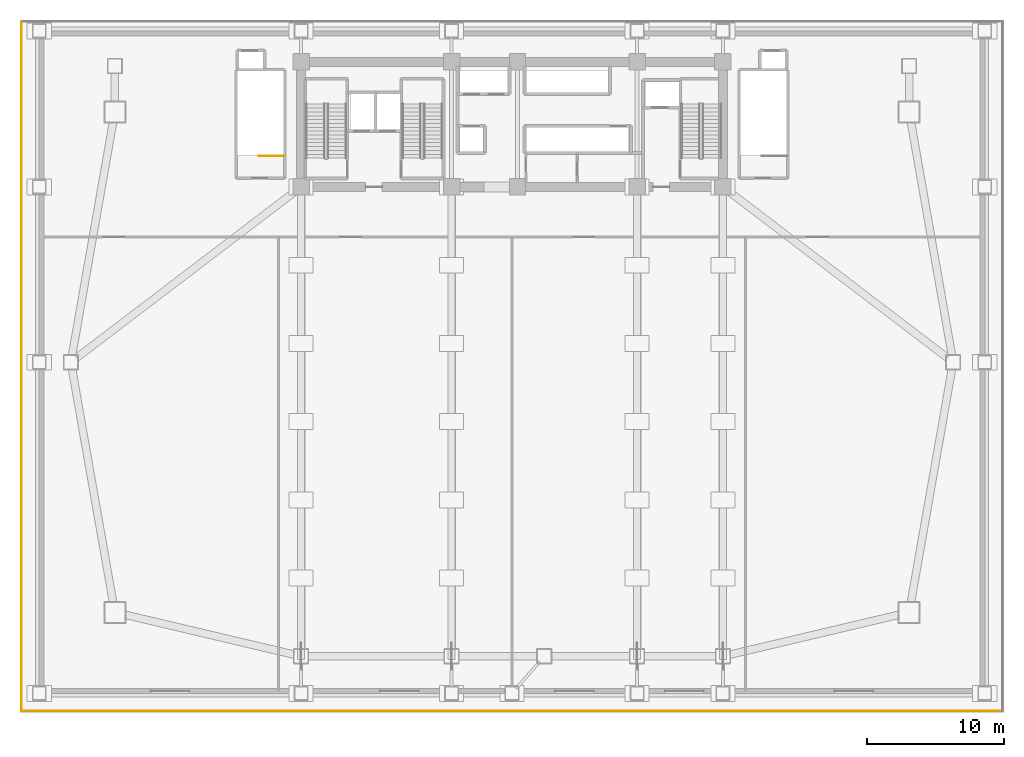
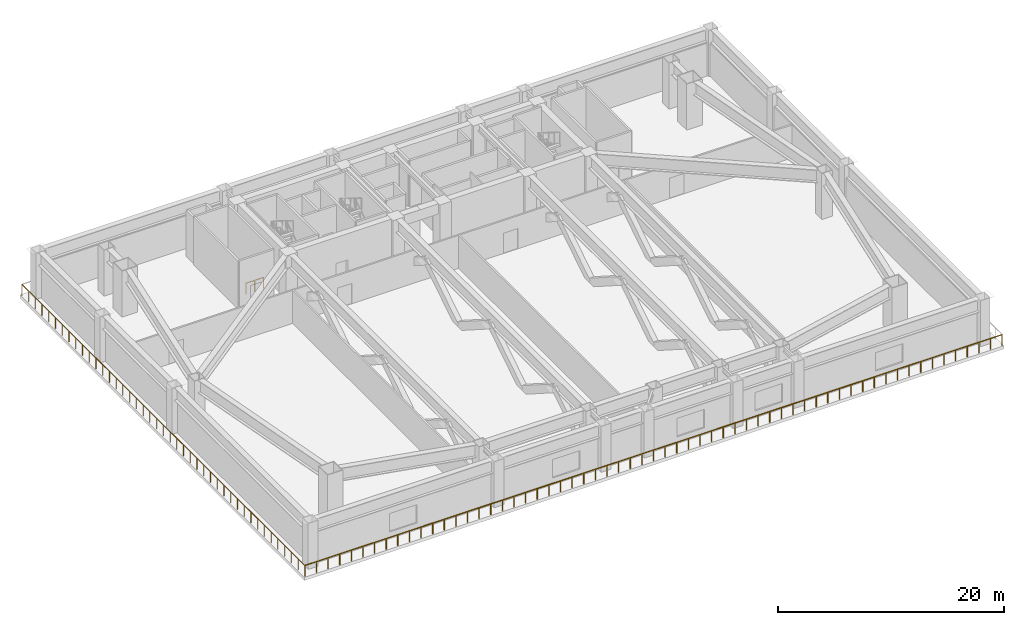
# One storey, part 6 of 8: 3 railings.
"""IFC4 building model written with IfcOpenShell, lengths in metres."""

from ifc_helpers import new_model, si_unit, direction, frame, origin, origin_2d, place, context, subcontext, project, spatial, rectangle, extrude, material, type_object, element, save


model = new_model("IFC4")

# Units and contexts
model_context = context("Model", 3, precision=1e-05, world=origin(), true_north=direction((0.0, 1.0)))
body_context = subcontext(model_context, "Body", "Model", "MODEL_VIEW")
ifc_project = project(units=[si_unit("LENGTHUNIT", "METRE"), si_unit("AREAUNIT", "SQUARE_METRE"), si_unit("VOLUMEUNIT", "CUBIC_METRE"), si_unit("PLANEANGLEUNIT", "RADIAN"), si_unit("MASSUNIT", "GRAM", prefix="KILO")], contexts=[model_context])

# Site, building, storey
site_placement = place(None, origin())
site = spatial("IfcSite", under=ifc_project, at=site_placement, CompositionType="ELEMENT")
building_placement = place(site_placement, origin())
building = spatial("IfcBuilding", under=site, at=building_placement, Name="Giltprow Tower", CompositionType="ELEMENT")
storey_placement = place(building_placement, frame((0.0, 0.0, 20.199951171875)))
storey = spatial("IfcBuildingStorey", under=building, at=storey_placement, Name="L05", CompositionType="ELEMENT", Elevation=20.199951171875)

# Railings
ifc_material = material(Name="Anodized bronze", Category="metal")
railing_type_1 = type_object("IfcRailingType", Name="RAIL-BALC-GUARD-1200", PredefinedType="BALUSTRADE", material=ifc_material)
railing_1_placement = place(storey_placement, frame((-0.47998046875, -0.679931640625, 0.0)))
element("IfcRailing", 1, at=railing_1_placement, inside=storey, type_object=railing_type_1, Name="L05 Podium Perimeter Cornice Balustrade Seg 1", PredefinedType="BALUSTRADE", context=body_context, shape_type="SweptSolid", body=[
    extrude(rectangle(XDim=0.048095703125, YDim=0.048095703125, at=origin_2d()), frame((0.0, 0.0, 1.17578125), z_axis=(1.0, 0.0, 0.0), x_axis=(0.0, 1.0, 0.0)), (0.0, 0.0, 1.0), 71.35986328125),
    extrude(rectangle(XDim=0.0419921875, YDim=0.0419921875, at=origin_2d()), origin(), (0.0, 0.0, 1.0), 1.15185546875),
    extrude(rectangle(XDim=0.0419921875, YDim=0.0419921875, at=origin_2d()), frame((1.189453125, 0.0, 0.0)), (0.0, 0.0, 1.0), 1.15185546875),
    extrude(rectangle(XDim=0.0419921875, YDim=0.0419921875, at=origin_2d()), frame((2.378662109375, 0.0, 0.0)), (0.0, 0.0, 1.0), 1.15185546875),
    extrude(rectangle(XDim=0.0419921875, YDim=0.0419921875, at=origin_2d()), frame((3.56787109375, 0.0, 0.0)), (0.0, 0.0, 1.0), 1.15185546875),
    extrude(rectangle(XDim=0.0419921875, YDim=0.0419921875, at=origin_2d()), frame((4.75732421875, 0.0, 0.0)), (0.0, 0.0, 1.0), 1.15185546875),
    extrude(rectangle(XDim=0.0419921875, YDim=0.0419921875, at=origin_2d()), frame((5.94677734375, 0.0, 0.0)), (0.0, 0.0, 1.0), 1.15185546875),
    extrude(rectangle(XDim=0.0419921875, YDim=0.0419921875, at=origin_2d()), frame((7.135986328125, 0.0, 0.0)), (0.0, 0.0, 1.0), 1.15185546875),
    extrude(rectangle(XDim=0.0419921875, YDim=0.0419921875, at=origin_2d()), frame((8.3251953125, 0.0, 0.0)), (0.0, 0.0, 1.0), 1.15185546875),
    extrude(rectangle(XDim=0.0419921875, YDim=0.0419921875, at=origin_2d()), frame((9.5146484375, 0.0, 0.0)), (0.0, 0.0, 1.0), 1.15185546875),
    extrude(rectangle(XDim=0.0419921875, YDim=0.0419921875, at=origin_2d()), frame((10.7041015625, 0.0, 0.0)), (0.0, 0.0, 1.0), 1.15185546875),
    extrude(rectangle(XDim=0.0419921875, YDim=0.0419921875, at=origin_2d()), frame((11.893310546875, 0.0, 0.0)), (0.0, 0.0, 1.0), 1.15185546875),
    extrude(rectangle(XDim=0.0419921875, YDim=0.0419921875, at=origin_2d()), frame((13.08251953125, 0.0, 0.0)), (0.0, 0.0, 1.0), 1.15185546875),
    extrude(rectangle(XDim=0.0419921875, YDim=0.0419921875, at=origin_2d()), frame((14.27197265625, 0.0, 0.0)), (0.0, 0.0, 1.0), 1.15185546875),
    extrude(rectangle(XDim=0.0419921875, YDim=0.0419921875, at=origin_2d()), frame((15.46142578125, 0.0, 0.0)), (0.0, 0.0, 1.0), 1.15185546875),
    extrude(rectangle(XDim=0.0419921875, YDim=0.0419921875, at=origin_2d()), frame((16.650634765625, 0.0, 0.0)), (0.0, 0.0, 1.0), 1.15185546875),
    extrude(rectangle(XDim=0.0419921875, YDim=0.0419921875, at=origin_2d()), frame((17.83984375, 0.0, 0.0)), (0.0, 0.0, 1.0), 1.15185546875),
    extrude(rectangle(XDim=0.0419921875, YDim=0.0419921875, at=origin_2d()), frame((19.029296875, 0.0, 0.0)), (0.0, 0.0, 1.0), 1.15185546875),
    extrude(rectangle(XDim=0.0419921875, YDim=0.0419921875, at=origin_2d()), frame((20.21875, 0.0, 0.0)), (0.0, 0.0, 1.0), 1.15185546875),
    extrude(rectangle(XDim=0.0419921875, YDim=0.0419921875, at=origin_2d()), frame((21.407958984375, 0.0, 0.0)), (0.0, 0.0, 1.0), 1.15185546875),
    extrude(rectangle(XDim=0.0419921875, YDim=0.0419921875, at=origin_2d()), frame((22.59716796875, 0.0, 0.0)), (0.0, 0.0, 1.0), 1.15185546875),
    extrude(rectangle(XDim=0.0419921875, YDim=0.0419921875, at=origin_2d()), frame((23.78662109375, 0.0, 0.0)), (0.0, 0.0, 1.0), 1.15185546875),
    extrude(rectangle(XDim=0.0419921875, YDim=0.0419921875, at=origin_2d()), frame((24.97607421875, 0.0, 0.0)), (0.0, 0.0, 1.0), 1.15185546875),
    extrude(rectangle(XDim=0.0419921875, YDim=0.0419921875, at=origin_2d()), frame((26.165283203125, 0.0, 0.0)), (0.0, 0.0, 1.0), 1.15185546875),
    extrude(rectangle(XDim=0.0419921875, YDim=0.0419921875, at=origin_2d()), frame((27.354736328125, 0.0, 0.0)), (0.0, 0.0, 1.0), 1.15185546875),
    extrude(rectangle(XDim=0.0419921875, YDim=0.0419921875, at=origin_2d()), frame((28.5439453125, 0.0, 0.0)), (0.0, 0.0, 1.0), 1.15185546875),
    extrude(rectangle(XDim=0.0419921875, YDim=0.0419921875, at=origin_2d()), frame((29.7333984375, 0.0, 0.0)), (0.0, 0.0, 1.0), 1.15185546875),
    extrude(rectangle(XDim=0.0419921875, YDim=0.0419921875, at=origin_2d()), frame((30.922607421875, 0.0, 0.0)), (0.0, 0.0, 1.0), 1.15185546875),
    extrude(rectangle(XDim=0.0419921875, YDim=0.0419921875, at=origin_2d()), frame((32.11181640625, 0.0, 0.0)), (0.0, 0.0, 1.0), 1.15185546875),
    extrude(rectangle(XDim=0.0419921875, YDim=0.0419921875, at=origin_2d()), frame((33.30126953125, 0.0, 0.0)), (0.0, 0.0, 1.0), 1.15185546875),
    extrude(rectangle(XDim=0.0419921875, YDim=0.0419921875, at=origin_2d()), frame((34.49072265625, 0.0, 0.0)), (0.0, 0.0, 1.0), 1.15185546875),
    extrude(rectangle(XDim=0.0419921875, YDim=0.0419921875, at=origin_2d()), frame((35.679931640625, 0.0, 0.0)), (0.0, 0.0, 1.0), 1.15185546875),
    extrude(rectangle(XDim=0.0419921875, YDim=0.0419921875, at=origin_2d()), frame((36.869384765625, 0.0, 0.0)), (0.0, 0.0, 1.0), 1.15185546875),
    extrude(rectangle(XDim=0.0419921875, YDim=0.0419921875, at=origin_2d()), frame((38.05859375, 0.0, 0.0)), (0.0, 0.0, 1.0), 1.15185546875),
    extrude(rectangle(XDim=0.0419921875, YDim=0.0419921875, at=origin_2d()), frame((39.248046875, 0.0, 0.0)), (0.0, 0.0, 1.0), 1.15185546875),
    extrude(rectangle(XDim=0.0419921875, YDim=0.0419921875, at=origin_2d()), frame((40.437255859375, 0.0, 0.0)), (0.0, 0.0, 1.0), 1.15185546875),
    extrude(rectangle(XDim=0.0419921875, YDim=0.0419921875, at=origin_2d()), frame((41.62646484375, 0.0, 0.0)), (0.0, 0.0, 1.0), 1.15185546875),
    extrude(rectangle(XDim=0.0419921875, YDim=0.0419921875, at=origin_2d()), frame((42.81591796875, 0.0, 0.0)), (0.0, 0.0, 1.0), 1.15185546875),
    extrude(rectangle(XDim=0.0419921875, YDim=0.0419921875, at=origin_2d()), frame((44.00537109375, 0.0, 0.0)), (0.0, 0.0, 1.0), 1.15185546875),
    extrude(rectangle(XDim=0.0419921875, YDim=0.0419921875, at=origin_2d()), frame((45.194580078125, 0.0, 0.0)), (0.0, 0.0, 1.0), 1.15185546875),
    extrude(rectangle(XDim=0.0419921875, YDim=0.0419921875, at=origin_2d()), frame((46.3837890625, 0.0, 0.0)), (0.0, 0.0, 1.0), 1.15185546875),
    extrude(rectangle(XDim=0.0419921875, YDim=0.0419921875, at=origin_2d()), frame((47.5732421875, 0.0, 0.0)), (0.0, 0.0, 1.0), 1.15185546875),
    extrude(rectangle(XDim=0.0419921875, YDim=0.0419921875, at=origin_2d()), frame((48.7626953125, 0.0, 0.0)), (0.0, 0.0, 1.0), 1.15185546875),
    extrude(rectangle(XDim=0.0419921875, YDim=0.0419921875, at=origin_2d()), frame((49.951904296875, 0.0, 0.0)), (0.0, 0.0, 1.0), 1.15185546875),
    extrude(rectangle(XDim=0.0419921875, YDim=0.0419921875, at=origin_2d()), frame((51.14111328125, 0.0, 0.0)), (0.0, 0.0, 1.0), 1.15185546875),
    extrude(rectangle(XDim=0.0419921875, YDim=0.0419921875, at=origin_2d()), frame((52.33056640625, 0.0, 0.0)), (0.0, 0.0, 1.0), 1.15185546875),
    extrude(rectangle(XDim=0.0419921875, YDim=0.0419921875, at=origin_2d()), frame((53.52001953125, 0.0, 0.0)), (0.0, 0.0, 1.0), 1.15185546875),
    extrude(rectangle(XDim=0.0419921875, YDim=0.0419921875, at=origin_2d()), frame((54.709228515625, 0.0, 0.0)), (0.0, 0.0, 1.0), 1.15185546875),
    extrude(rectangle(XDim=0.0419921875, YDim=0.0419921875, at=origin_2d()), frame((55.8984375, 0.0, 0.0)), (0.0, 0.0, 1.0), 1.15185546875),
    extrude(rectangle(XDim=0.0419921875, YDim=0.0419921875, at=origin_2d()), frame((57.087890625, 0.0, 0.0)), (0.0, 0.0, 1.0), 1.15185546875),
    extrude(rectangle(XDim=0.0419921875, YDim=0.0419921875, at=origin_2d()), frame((58.27734375, 0.0, 0.0)), (0.0, 0.0, 1.0), 1.15185546875),
    extrude(rectangle(XDim=0.0419921875, YDim=0.0419921875, at=origin_2d()), frame((59.466552734375, 0.0, 0.0)), (0.0, 0.0, 1.0), 1.15185546875),
    extrude(rectangle(XDim=0.0419921875, YDim=0.0419921875, at=origin_2d()), frame((60.65576171875, 0.0, 0.0)), (0.0, 0.0, 1.0), 1.15185546875),
    extrude(rectangle(XDim=0.0419921875, YDim=0.0419921875, at=origin_2d()), frame((61.84521484375, 0.0, 0.0)), (0.0, 0.0, 1.0), 1.15185546875),
    extrude(rectangle(XDim=0.0419921875, YDim=0.0419921875, at=origin_2d()), frame((63.03466796875, 0.0, 0.0)), (0.0, 0.0, 1.0), 1.15185546875),
    extrude(rectangle(XDim=0.0419921875, YDim=0.0419921875, at=origin_2d()), frame((64.223876953125, 0.0, 0.0)), (0.0, 0.0, 1.0), 1.15185546875),
    extrude(rectangle(XDim=0.0419921875, YDim=0.0419921875, at=origin_2d()), frame((65.4130859375, 0.0, 0.0)), (0.0, 0.0, 1.0), 1.15185546875),
    extrude(rectangle(XDim=0.0419921875, YDim=0.0419921875, at=origin_2d()), frame((66.6025390625, 0.0, 0.0)), (0.0, 0.0, 1.0), 1.15185546875),
    extrude(rectangle(XDim=0.0419921875, YDim=0.0419921875, at=origin_2d()), frame((67.7919921875, 0.0, 0.0)), (0.0, 0.0, 1.0), 1.15185546875),
    extrude(rectangle(XDim=0.0419921875, YDim=0.0419921875, at=origin_2d()), frame((68.981201171875, 0.0, 0.0)), (0.0, 0.0, 1.0), 1.15185546875),
    extrude(rectangle(XDim=0.0419921875, YDim=0.0419921875, at=origin_2d()), frame((70.17041015625, 0.0, 0.0)), (0.0, 0.0, 1.0), 1.15185546875),
    extrude(rectangle(XDim=0.0419921875, YDim=0.0419921875, at=origin_2d()), frame((71.35986328125, 0.0, 0.0)), (0.0, 0.0, 1.0), 1.15185546875),
])
railing_2_placement = place(storey_placement, frame((-0.47998046875, 49.47998046875, 0.0)))
element("IfcRailing", 2, at=railing_2_placement, inside=storey, type_object=railing_type_1, Name="L05 Podium Perimeter Cornice Balustrade Seg 4", PredefinedType="BALUSTRADE", context=body_context, shape_type="SweptSolid", body=[
    extrude(rectangle(XDim=0.048095703125, YDim=0.048095703125, at=origin_2d()), frame((0.0, 0.0, 1.17578125), z_axis=(0.0, -1.0, 0.0), x_axis=(1.0, 0.0, 0.0)), (0.0, 0.0, 1.0), 50.159912109375),
    extrude(rectangle(XDim=0.0419921875, YDim=0.0419921875, at=origin_2d()), origin(), (0.0, 0.0, 1.0), 1.15185546875),
    extrude(rectangle(XDim=0.0419921875, YDim=0.0419921875, at=origin_2d()), frame((0.0, -1.1943359375, 0.0)), (0.0, 0.0, 1.0), 1.15185546875),
    extrude(rectangle(XDim=0.0419921875, YDim=0.0419921875, at=origin_2d()), frame((0.0, -2.388671875, 0.0)), (0.0, 0.0, 1.0), 1.15185546875),
    extrude(rectangle(XDim=0.0419921875, YDim=0.0419921875, at=origin_2d()), frame((0.0, -3.582763671875, 0.0)), (0.0, 0.0, 1.0), 1.15185546875),
    extrude(rectangle(XDim=0.0419921875, YDim=0.0419921875, at=origin_2d()), frame((0.0, -4.777099609375, 0.0)), (0.0, 0.0, 1.0), 1.15185546875),
    extrude(rectangle(XDim=0.0419921875, YDim=0.0419921875, at=origin_2d()), frame((0.0, -5.971435546875, 0.0)), (0.0, 0.0, 1.0), 1.15185546875),
    extrude(rectangle(XDim=0.0419921875, YDim=0.0419921875, at=origin_2d()), frame((0.0, -7.165771484375, 0.0)), (0.0, 0.0, 1.0), 1.15185546875),
    extrude(rectangle(XDim=0.0419921875, YDim=0.0419921875, at=origin_2d()), frame((0.0, -8.35986328125, 0.0)), (0.0, 0.0, 1.0), 1.15185546875),
    extrude(rectangle(XDim=0.0419921875, YDim=0.0419921875, at=origin_2d()), frame((0.0, -9.55419921875, 0.0)), (0.0, 0.0, 1.0), 1.15185546875),
    extrude(rectangle(XDim=0.0419921875, YDim=0.0419921875, at=origin_2d()), frame((0.0, -10.74853515625, 0.0)), (0.0, 0.0, 1.0), 1.15185546875),
    extrude(rectangle(XDim=0.0419921875, YDim=0.0419921875, at=origin_2d()), frame((0.0, -11.94287109375, 0.0)), (0.0, 0.0, 1.0), 1.15185546875),
    extrude(rectangle(XDim=0.0419921875, YDim=0.0419921875, at=origin_2d()), frame((0.0, -13.13720703125, 0.0)), (0.0, 0.0, 1.0), 1.15185546875),
    extrude(rectangle(XDim=0.0419921875, YDim=0.0419921875, at=origin_2d()), frame((0.0, -14.331298828125, 0.0)), (0.0, 0.0, 1.0), 1.15185546875),
    extrude(rectangle(XDim=0.0419921875, YDim=0.0419921875, at=origin_2d()), frame((0.0, -15.525634765625, 0.0)), (0.0, 0.0, 1.0), 1.15185546875),
    extrude(rectangle(XDim=0.0419921875, YDim=0.0419921875, at=origin_2d()), frame((0.0, -16.719970703125, 0.0)), (0.0, 0.0, 1.0), 1.15185546875),
    extrude(rectangle(XDim=0.0419921875, YDim=0.0419921875, at=origin_2d()), frame((0.0, -17.914306640625, 0.0)), (0.0, 0.0, 1.0), 1.15185546875),
    extrude(rectangle(XDim=0.0419921875, YDim=0.0419921875, at=origin_2d()), frame((0.0, -19.108642578125, 0.0)), (0.0, 0.0, 1.0), 1.15185546875),
    extrude(rectangle(XDim=0.0419921875, YDim=0.0419921875, at=origin_2d()), frame((0.0, -20.302734375, 0.0)), (0.0, 0.0, 1.0), 1.15185546875),
    extrude(rectangle(XDim=0.0419921875, YDim=0.0419921875, at=origin_2d()), frame((0.0, -21.4970703125, 0.0)), (0.0, 0.0, 1.0), 1.15185546875),
    extrude(rectangle(XDim=0.0419921875, YDim=0.0419921875, at=origin_2d()), frame((0.0, -22.69140625, 0.0)), (0.0, 0.0, 1.0), 1.15185546875),
    extrude(rectangle(XDim=0.0419921875, YDim=0.0419921875, at=origin_2d()), frame((0.0, -23.8857421875, 0.0)), (0.0, 0.0, 1.0), 1.15185546875),
    extrude(rectangle(XDim=0.0419921875, YDim=0.0419921875, at=origin_2d()), frame((0.0, -25.080078125, 0.0)), (0.0, 0.0, 1.0), 1.15185546875),
    extrude(rectangle(XDim=0.0419921875, YDim=0.0419921875, at=origin_2d()), frame((0.0, -26.274169921875, 0.0)), (0.0, 0.0, 1.0), 1.15185546875),
    extrude(rectangle(XDim=0.0419921875, YDim=0.0419921875, at=origin_2d()), frame((0.0, -27.468505859375, 0.0)), (0.0, 0.0, 1.0), 1.15185546875),
    extrude(rectangle(XDim=0.0419921875, YDim=0.0419921875, at=origin_2d()), frame((0.0, -28.662841796875, 0.0)), (0.0, 0.0, 1.0), 1.15185546875),
    extrude(rectangle(XDim=0.0419921875, YDim=0.0419921875, at=origin_2d()), frame((0.0, -29.857177734375, 0.0)), (0.0, 0.0, 1.0), 1.15185546875),
    extrude(rectangle(XDim=0.0419921875, YDim=0.0419921875, at=origin_2d()), frame((0.0, -31.05126953125, 0.0)), (0.0, 0.0, 1.0), 1.15185546875),
    extrude(rectangle(XDim=0.0419921875, YDim=0.0419921875, at=origin_2d()), frame((0.0, -32.24560546875, 0.0)), (0.0, 0.0, 1.0), 1.15185546875),
    extrude(rectangle(XDim=0.0419921875, YDim=0.0419921875, at=origin_2d()), frame((0.0, -33.43994140625, 0.0)), (0.0, 0.0, 1.0), 1.15185546875),
    extrude(rectangle(XDim=0.0419921875, YDim=0.0419921875, at=origin_2d()), frame((0.0, -34.63427734375, 0.0)), (0.0, 0.0, 1.0), 1.15185546875),
    extrude(rectangle(XDim=0.0419921875, YDim=0.0419921875, at=origin_2d()), frame((0.0, -35.82861328125, 0.0)), (0.0, 0.0, 1.0), 1.15185546875),
    extrude(rectangle(XDim=0.0419921875, YDim=0.0419921875, at=origin_2d()), frame((0.0, -37.022705078125, 0.0)), (0.0, 0.0, 1.0), 1.15185546875),
    extrude(rectangle(XDim=0.0419921875, YDim=0.0419921875, at=origin_2d()), frame((0.0, -38.217041015625, 0.0)), (0.0, 0.0, 1.0), 1.15185546875),
    extrude(rectangle(XDim=0.0419921875, YDim=0.0419921875, at=origin_2d()), frame((0.0, -39.411376953125, 0.0)), (0.0, 0.0, 1.0), 1.15185546875),
    extrude(rectangle(XDim=0.0419921875, YDim=0.0419921875, at=origin_2d()), frame((0.0, -40.605712890625, 0.0)), (0.0, 0.0, 1.0), 1.15185546875),
    extrude(rectangle(XDim=0.0419921875, YDim=0.0419921875, at=origin_2d()), frame((0.0, -41.7998046875, 0.0)), (0.0, 0.0, 1.0), 1.15185546875),
    extrude(rectangle(XDim=0.0419921875, YDim=0.0419921875, at=origin_2d()), frame((0.0, -42.994140625, 0.0)), (0.0, 0.0, 1.0), 1.15185546875),
    extrude(rectangle(XDim=0.0419921875, YDim=0.0419921875, at=origin_2d()), frame((0.0, -44.1884765625, 0.0)), (0.0, 0.0, 1.0), 1.15185546875),
    extrude(rectangle(XDim=0.0419921875, YDim=0.0419921875, at=origin_2d()), frame((0.0, -45.3828125, 0.0)), (0.0, 0.0, 1.0), 1.15185546875),
    extrude(rectangle(XDim=0.0419921875, YDim=0.0419921875, at=origin_2d()), frame((0.0, -46.5771484375, 0.0)), (0.0, 0.0, 1.0), 1.15185546875),
    extrude(rectangle(XDim=0.0419921875, YDim=0.0419921875, at=origin_2d()), frame((0.0, -47.771240234375, 0.0)), (0.0, 0.0, 1.0), 1.15185546875),
    extrude(rectangle(XDim=0.0419921875, YDim=0.0419921875, at=origin_2d()), frame((0.0, -48.965576171875, 0.0)), (0.0, 0.0, 1.0), 1.15185546875),
    extrude(rectangle(XDim=0.0419921875, YDim=0.0419921875, at=origin_2d()), frame((0.0, -50.159912109375, 0.0)), (0.0, 0.0, 1.0), 1.15185546875),
])
railing_type_2 = type_object("IfcRailingType", Name="RAIL-STAIR-GUARD-1200", PredefinedType="GUARDRAIL", material=ifc_material)
railing_3_placement = place(storey_placement, frame((18.60009765625, 39.699951171875, 0.0)))
element("IfcRailing", 3, at=railing_3_placement, inside=storey, type_object=railing_type_2, Name="L05 ST-P1 top well guard 1", PredefinedType="GUARDRAIL", context=body_context, shape_type="SweptSolid", body=[
    extrude(rectangle(XDim=0.048095703125, YDim=0.048095703125, at=origin_2d()), frame((0.0, 0.0, 1.17578125), z_axis=(-1.0, 0.0, 0.0), x_axis=(0.0, -1.0, 0.0)), (0.0, 0.0, 1.0), 1.800048828125),
    extrude(rectangle(XDim=0.0419921875, YDim=0.0419921875, at=origin_2d()), origin(), (0.0, 0.0, 1.0), 1.15185546875),
    extrude(rectangle(XDim=0.0419921875, YDim=0.0419921875, at=origin_2d()), frame((-0.89990234375, 0.0, 0.0)), (0.0, 0.0, 1.0), 1.15185546875),
    extrude(rectangle(XDim=0.0419921875, YDim=0.0419921875, at=origin_2d()), frame((-1.800048828125, 0.0, 0.0)), (0.0, 0.0, 1.0), 1.15185546875),
])

save(model, "model.ifc")
